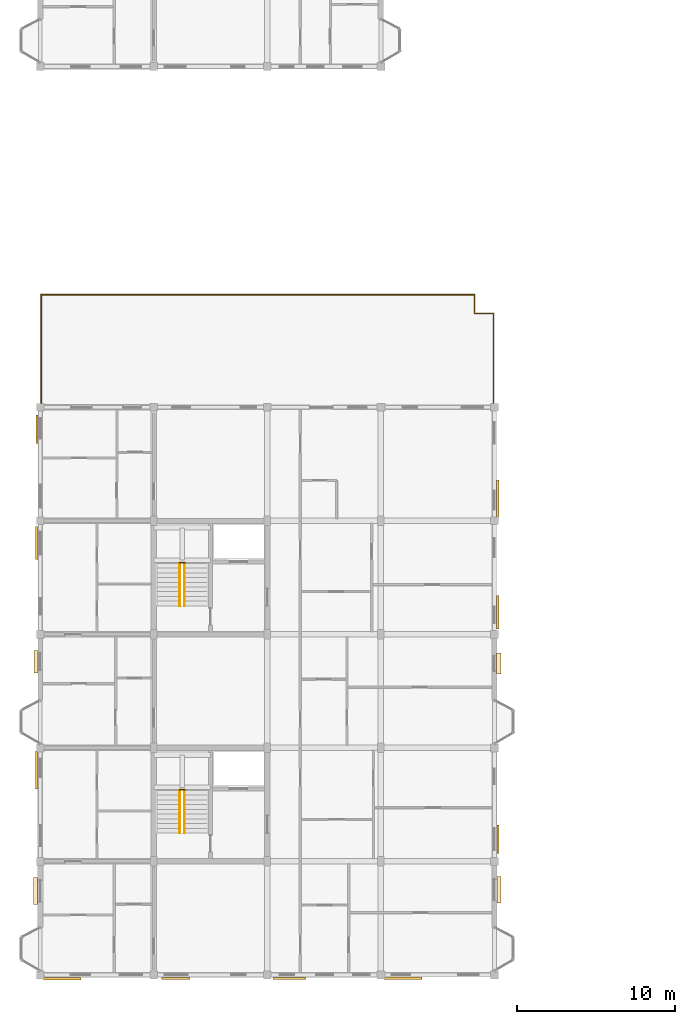
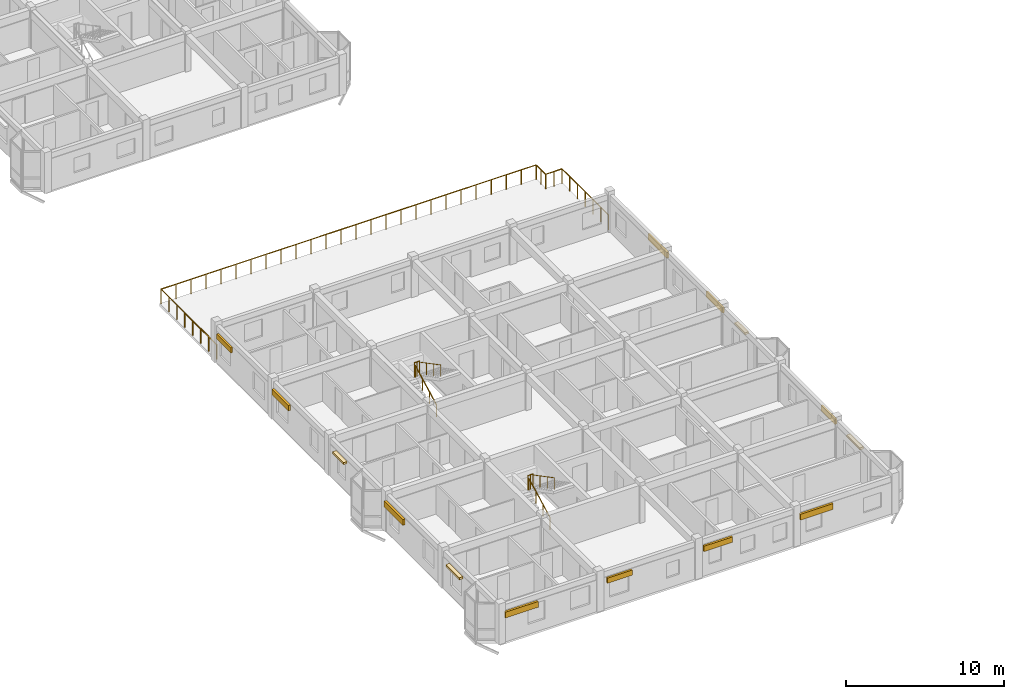
# One storey, part 67 of 70: 10 shading devices, 7 railings, 4 coverings.
"""IFC4 building model written with IfcOpenShell, lengths in metres."""

from ifc_helpers import new_model, si_unit, direction, frame, origin, origin_2d, place, context, subcontext, project, spatial, rectangle, circle, extrude, material, layer, layer_set, type_object, element, save


model = new_model("IFC4")

# Units and contexts
model_context = context("Model", 3, precision=1e-05, world=origin(), true_north=direction((0.0, 1.0)))
body_context = subcontext(model_context, "Body", "Model", "MODEL_VIEW")
ifc_project = project(units=[si_unit("LENGTHUNIT", "METRE"), si_unit("AREAUNIT", "SQUARE_METRE"), si_unit("VOLUMEUNIT", "CUBIC_METRE"), si_unit("PLANEANGLEUNIT", "RADIAN"), si_unit("MASSUNIT", "GRAM", prefix="KILO"), si_unit("THERMODYNAMICTEMPERATUREUNIT", "KELVIN"), si_unit("POWERUNIT", "WATT")], contexts=[model_context])

# Site, building, storey
site_placement = place(None, origin())
site = spatial("IfcSite", under=ifc_project, at=site_placement, CompositionType="ELEMENT")
building_placement = place(site_placement, origin())
building = spatial("IfcBuilding", under=site, at=building_placement, Name="Tavuni Mirador Residences", CompositionType="ELEMENT")
storey_placement = place(building_placement, frame((0.0, 0.0, 23.39990234375)))
storey = spatial("IfcBuildingStorey", under=building, at=storey_placement, Name="L07", CompositionType="ELEMENT", Elevation=23.39990234375)

# Coverings
ifc_material_1 = material(Name="Natural coral limestone", Category="masonry")
ifc_layer = layer(ifc_material_1, 0.054931640625, Name="Natural coral limestone", Category="masonry")
ifc_layer_set = layer_set([ifc_layer], Name="Natural coral limestone")
covering_type = type_object("IfcCoveringType", Name="CVT-CLAD-CORAL", PredefinedType="CLADDING", material=ifc_layer_set)
covering_1_placement = place(storey_placement, frame((32.69189453125, 12.594970703125, 1.9501953125), z_axis=(0.0, 0.0, 1.0), x_axis=(0.0, 1.0, 0.0)))
element("IfcCovering", 1, at=covering_1_placement, inside=storey, type_object=covering_type, Name="HOOD-0171", PredefinedType="CLADDING", context=body_context, shape_type="SweptSolid", body=[
    extrude(rectangle(XDim=1.679931640625, YDim=0.260009765625, at=origin_2d()), origin(), (0.0, 0.0, 1.0), 0.159912109375),
])
covering_2_placement = place(storey_placement, frame((32.679443359375, 26.945068359375, 2.06005859375), z_axis=(0.0, 0.0, 1.0), x_axis=(0.0, 1.0, 0.0)))
element("IfcCovering", 2, at=covering_2_placement, inside=storey, type_object=covering_type, Name="HOOD-0172", PredefinedType="CLADDING", context=body_context, shape_type="SweptSolid", body=[
    extrude(rectangle(XDim=1.320068359375, YDim=0.260009765625, at=origin_2d()), origin(), (0.0, 0.0, 1.0), 0.159912109375),
])
covering_3_placement = place(storey_placement, frame((3.320556640625, 27.06005859375, 2.240234375), z_axis=(0.0, 0.0, 1.0), x_axis=(0.0, -1.0, 0.0)))
element("IfcCovering", 3, at=covering_3_placement, inside=storey, type_object=covering_type, Name="HOOD-0173", PredefinedType="CLADDING", context=body_context, shape_type="SweptSolid", body=[
    extrude(rectangle(XDim=1.409912109375, YDim=0.260009765625, at=origin_2d()), origin(), (0.0, 0.0, 1.0), 0.159912109375),
])
covering_4_placement = place(storey_placement, frame((3.30810546875, 12.52001953125, 2.240234375), z_axis=(0.0, 0.0, 1.0), x_axis=(0.0, -1.0, 0.0)))
element("IfcCovering", 4, at=covering_4_placement, inside=storey, type_object=covering_type, Name="HOOD-0174", PredefinedType="CLADDING", context=body_context, shape_type="SweptSolid", body=[
    extrude(rectangle(XDim=1.7099609375, YDim=0.260009765625, at=origin_2d()), origin(), (0.0, 0.0, 1.0), 0.159912109375),
])

# Railings
ifc_material_2 = material(Name="Structural steel S355", Category="steel")
railing_type_1 = type_object("IfcRailingType", Name="RT-BL1150", PredefinedType="BALUSTRADE", material=ifc_material_2)
railing_1_placement = place(storey_placement, frame((32.340087890625, 43.260009765625, 0.0)))
element("IfcRailing", 5, at=railing_1_placement, inside=storey, type_object=railing_type_1, Name="Terrace guard TER-A-L07", PredefinedType="BALUSTRADE", context=body_context, shape_type="SweptSolid", body=[
    extrude(circle(Radius=0.02392578125, at=origin_2d()), frame((0.0, 0.0, 1.1259765625), z_axis=(0.0, 1.0, 0.0), x_axis=(-1.0, 0.0, 0.0)), (0.0, 0.0, 1.0), 5.8798828125),
    extrude(circle(Radius=0.02392578125, at=origin_2d()), frame((0.0, 5.8798828125, 1.1259765625), z_axis=(-1.0, 0.0, 0.0), x_axis=(0.0, -1.0, 0.0)), (0.0, 0.0, 1.0), 1.2001953125),
    extrude(circle(Radius=0.02392578125, at=origin_2d()), frame((-1.2001953125, 5.8798828125, 1.1259765625), z_axis=(0.0, 1.0, 0.0), x_axis=(-1.0, 0.0, 0.0)), (0.0, 0.0, 1.0), 1.2001953125),
    extrude(circle(Radius=0.02392578125, at=origin_2d()), frame((-1.2001953125, 7.080078125, 1.1259765625), z_axis=(-1.0, 0.0, 0.0), x_axis=(0.0, -1.0, 0.0)), (0.0, 0.0, 1.0), 27.47998046875),
    extrude(circle(Radius=0.02392578125, at=origin_2d()), frame((-28.68017578125, 7.080078125, 1.1259765625), z_axis=(0.0, -1.0, 0.0), x_axis=(1.0, 0.0, 0.0)), (0.0, 0.0, 1.0), 7.080078125),
    extrude(circle(Radius=0.02099609375, at=origin_2d()), origin(), (0.0, 0.0, 1.0), 1.101806640625),
    extrude(circle(Radius=0.02099609375, at=origin_2d()), frame((0.0, 0.97998046875, 0.0)), (0.0, 0.0, 1.0), 1.101806640625),
    extrude(circle(Radius=0.02099609375, at=origin_2d()), frame((0.0, 1.9599609375, 0.0)), (0.0, 0.0, 1.0), 1.101806640625),
    extrude(circle(Radius=0.02099609375, at=origin_2d()), frame((0.0, 2.93994140625, 0.0)), (0.0, 0.0, 1.0), 1.101806640625),
    extrude(circle(Radius=0.02099609375, at=origin_2d()), frame((0.0, 3.919921875, 0.0)), (0.0, 0.0, 1.0), 1.101806640625),
    extrude(circle(Radius=0.02099609375, at=origin_2d()), frame((0.0, 4.89990234375, 0.0)), (0.0, 0.0, 1.0), 1.101806640625),
    extrude(circle(Radius=0.02099609375, at=origin_2d()), frame((0.0, 5.8798828125, 0.0)), (0.0, 0.0, 1.0), 1.101806640625),
    extrude(circle(Radius=0.02099609375, at=origin_2d()), frame((-0.60009765625, 5.8798828125, 0.0)), (0.0, 0.0, 1.0), 1.101806640625),
    extrude(circle(Radius=0.02099609375, at=origin_2d()), frame((-1.2001953125, 5.8798828125, 0.0)), (0.0, 0.0, 1.0), 1.101806640625),
    extrude(circle(Radius=0.02099609375, at=origin_2d()), frame((-1.2001953125, 6.47998046875, 0.0)), (0.0, 0.0, 1.0), 1.101806640625),
    extrude(circle(Radius=0.02099609375, at=origin_2d()), frame((-1.2001953125, 7.080078125, 0.0)), (0.0, 0.0, 1.0), 1.101806640625),
    extrude(circle(Radius=0.02099609375, at=origin_2d()), frame((-2.29931640625, 7.080078125, 0.0)), (0.0, 0.0, 1.0), 1.101806640625),
    extrude(circle(Radius=0.02099609375, at=origin_2d()), frame((-3.398681640625, 7.080078125, 0.0)), (0.0, 0.0, 1.0), 1.101806640625),
    extrude(circle(Radius=0.02099609375, at=origin_2d()), frame((-4.497802734375, 7.080078125, 0.0)), (0.0, 0.0, 1.0), 1.101806640625),
    extrude(circle(Radius=0.02099609375, at=origin_2d()), frame((-5.596923828125, 7.080078125, 0.0)), (0.0, 0.0, 1.0), 1.101806640625),
    extrude(circle(Radius=0.02099609375, at=origin_2d()), frame((-6.6962890625, 7.080078125, 0.0)), (0.0, 0.0, 1.0), 1.101806640625),
    extrude(circle(Radius=0.02099609375, at=origin_2d()), frame((-7.79541015625, 7.080078125, 0.0)), (0.0, 0.0, 1.0), 1.101806640625),
    extrude(circle(Radius=0.02099609375, at=origin_2d()), frame((-8.89453125, 7.080078125, 0.0)), (0.0, 0.0, 1.0), 1.101806640625),
    extrude(circle(Radius=0.02099609375, at=origin_2d()), frame((-9.993896484375, 7.080078125, 0.0)), (0.0, 0.0, 1.0), 1.101806640625),
    extrude(circle(Radius=0.02099609375, at=origin_2d()), frame((-11.093017578125, 7.080078125, 0.0)), (0.0, 0.0, 1.0), 1.101806640625),
    extrude(circle(Radius=0.02099609375, at=origin_2d()), frame((-12.192138671875, 7.080078125, 0.0)), (0.0, 0.0, 1.0), 1.101806640625),
    extrude(circle(Radius=0.02099609375, at=origin_2d()), frame((-13.29150390625, 7.080078125, 0.0)), (0.0, 0.0, 1.0), 1.101806640625),
    extrude(circle(Radius=0.02099609375, at=origin_2d()), frame((-14.390625, 7.080078125, 0.0)), (0.0, 0.0, 1.0), 1.101806640625),
    extrude(circle(Radius=0.02099609375, at=origin_2d()), frame((-15.48974609375, 7.080078125, 0.0)), (0.0, 0.0, 1.0), 1.101806640625),
    extrude(circle(Radius=0.02099609375, at=origin_2d()), frame((-16.5888671875, 7.080078125, 0.0)), (0.0, 0.0, 1.0), 1.101806640625),
    extrude(circle(Radius=0.02099609375, at=origin_2d()), frame((-17.688232421875, 7.080078125, 0.0)), (0.0, 0.0, 1.0), 1.101806640625),
    extrude(circle(Radius=0.02099609375, at=origin_2d()), frame((-18.787353515625, 7.080078125, 0.0)), (0.0, 0.0, 1.0), 1.101806640625),
    extrude(circle(Radius=0.02099609375, at=origin_2d()), frame((-19.886474609375, 7.080078125, 0.0)), (0.0, 0.0, 1.0), 1.101806640625),
    extrude(circle(Radius=0.02099609375, at=origin_2d()), frame((-20.98583984375, 7.080078125, 0.0)), (0.0, 0.0, 1.0), 1.101806640625),
    extrude(circle(Radius=0.02099609375, at=origin_2d()), frame((-22.0849609375, 7.080078125, 0.0)), (0.0, 0.0, 1.0), 1.101806640625),
    extrude(circle(Radius=0.02099609375, at=origin_2d()), frame((-23.18408203125, 7.080078125, 0.0)), (0.0, 0.0, 1.0), 1.101806640625),
    extrude(circle(Radius=0.02099609375, at=origin_2d()), frame((-24.283447265625, 7.080078125, 0.0)), (0.0, 0.0, 1.0), 1.101806640625),
    extrude(circle(Radius=0.02099609375, at=origin_2d()), frame((-25.382568359375, 7.080078125, 0.0)), (0.0, 0.0, 1.0), 1.101806640625),
    extrude(circle(Radius=0.02099609375, at=origin_2d()), frame((-26.481689453125, 7.080078125, 0.0)), (0.0, 0.0, 1.0), 1.101806640625),
    extrude(circle(Radius=0.02099609375, at=origin_2d()), frame((-27.5810546875, 7.080078125, 0.0)), (0.0, 0.0, 1.0), 1.101806640625),
    extrude(circle(Radius=0.02099609375, at=origin_2d()), frame((-28.68017578125, 7.080078125, 0.0)), (0.0, 0.0, 1.0), 1.101806640625),
    extrude(circle(Radius=0.02099609375, at=origin_2d()), frame((-28.68017578125, 6.068603515625, 0.0)), (0.0, 0.0, 1.0), 1.101806640625),
    extrude(circle(Radius=0.02099609375, at=origin_2d()), frame((-28.68017578125, 5.05712890625, 0.0)), (0.0, 0.0, 1.0), 1.101806640625),
    extrude(circle(Radius=0.02099609375, at=origin_2d()), frame((-28.68017578125, 4.045654296875, 0.0)), (0.0, 0.0, 1.0), 1.101806640625),
    extrude(circle(Radius=0.02099609375, at=origin_2d()), frame((-28.68017578125, 3.034423828125, 0.0)), (0.0, 0.0, 1.0), 1.101806640625),
    extrude(circle(Radius=0.02099609375, at=origin_2d()), frame((-28.68017578125, 2.02294921875, 0.0)), (0.0, 0.0, 1.0), 1.101806640625),
    extrude(circle(Radius=0.02099609375, at=origin_2d()), frame((-28.68017578125, 1.011474609375, 0.0)), (0.0, 0.0, 1.0), 1.101806640625),
    extrude(circle(Radius=0.02099609375, at=origin_2d()), frame((-28.68017578125, 0.0, 0.0)), (0.0, 0.0, 1.0), 1.101806640625),
])
railing_type_2 = type_object("IfcRailingType", Name="RT-GR1120", PredefinedType="GUARDRAIL", material=ifc_material_2)
for number, where, name in (
    (6, (12.419921875, 18.93994140625, 1.5751953125), "GRD-HL-ST1-L07"),
    (7, (12.419921875, 33.340087890625, 1.5751953125), "GRD-HL-ST2-L07"),
):
    element("IfcRailing", number, at=place(storey_placement, frame(where)), inside=storey, type_object=railing_type_2, Name=name, PredefinedType="GUARDRAIL", context=body_context, shape_type="SweptSolid", body=[
        extrude(circle(Radius=0.02392578125, at=origin_2d()), frame((0.0, 0.0, 1.09619140625), z_axis=(1.0, 0.0, 0.0), x_axis=(0.0, 1.0, 0.0)), (0.0, 0.0, 1.0), 0.360107421875),
        extrude(circle(Radius=0.02099609375, at=origin_2d()), origin(), (0.0, 0.0, 1.0), 1.072021484375),
        extrude(circle(Radius=0.02099609375, at=origin_2d()), frame((0.18017578125, 0.0, 0.0)), (0.0, 0.0, 1.0), 1.072021484375),
        extrude(circle(Radius=0.02099609375, at=origin_2d()), frame((0.360107421875, 0.0, 0.0)), (0.0, 0.0, 1.0), 1.072021484375),
    ])
railing_type_3 = type_object("IfcRailingType", Name="RT-HR920", PredefinedType="HANDRAIL", material=ifc_material_2)
railing_2_placement = place(storey_placement, frame((12.449951171875, 16.199951171875, 0.15771484375)))
element("IfcRailing", 8, at=railing_2_placement, inside=storey, type_object=railing_type_3, Name="HR-ST1-L07-F1", PredefinedType="HANDRAIL", context=body_context, shape_type="SweptSolid", body=[
    extrude(circle(Radius=0.02392578125, at=origin_2d()), frame((0.0, 0.0, 0.89599609375), z_axis=(0.0, 0.885397079081, 0.464835468048), x_axis=(-1.0, 0.0, 0.0)), (0.0, 0.0, 1.0), 3.04931640625),
    extrude(circle(Radius=0.02099609375, at=origin_2d()), origin(), (0.0, 0.0, 1.0), 0.871826171875),
    extrude(circle(Radius=0.02099609375, at=origin_2d()), frame((0.0, 0.89990234375, 0.472412109375)), (0.0, 0.0, 1.0), 0.871826171875),
    extrude(circle(Radius=0.02099609375, at=origin_2d()), frame((0.0, 1.800048828125, 0.945068359375)), (0.0, 0.0, 1.0), 0.871826171875),
    extrude(circle(Radius=0.02099609375, at=origin_2d()), frame((0.0, 2.699951171875, 1.41748046875)), (0.0, 0.0, 1.0), 0.871826171875),
])
railing_3_placement = place(storey_placement, frame((12.75, 18.89990234375, 1.732666015625)))
element("IfcRailing", 9, at=railing_3_placement, inside=storey, type_object=railing_type_3, Name="HR-ST1-L07-F2", PredefinedType="HANDRAIL", context=body_context, shape_type="SweptSolid", body=[
    extrude(circle(Radius=0.02392578125, at=origin_2d()), frame((0.0, 0.0, 0.89599609375), z_axis=(0.0, -0.885397079081, 0.464835468048), x_axis=(1.0, 0.0, 0.0)), (0.0, 0.0, 1.0), 3.04931640625),
    extrude(circle(Radius=0.02099609375, at=origin_2d()), origin(), (0.0, 0.0, 1.0), 0.871826171875),
    extrude(circle(Radius=0.02099609375, at=origin_2d()), frame((0.0, -0.89990234375, 0.472412109375)), (0.0, 0.0, 1.0), 0.871826171875),
    extrude(circle(Radius=0.02099609375, at=origin_2d()), frame((0.0, -1.800048828125, 0.945068359375)), (0.0, 0.0, 1.0), 0.871826171875),
    extrude(circle(Radius=0.02099609375, at=origin_2d()), frame((0.0, -2.699951171875, 1.41748046875)), (0.0, 0.0, 1.0), 0.871826171875),
])
railing_4_placement = place(storey_placement, frame((12.449951171875, 30.60009765625, 0.15771484375)))
element("IfcRailing", 10, at=railing_4_placement, inside=storey, type_object=railing_type_3, Name="HR-ST2-L07-F1", PredefinedType="HANDRAIL", context=body_context, shape_type="SweptSolid", body=[
    extrude(circle(Radius=0.02392578125, at=origin_2d()), frame((0.0, 0.0, 0.89599609375), z_axis=(0.0, 0.885397079081, 0.464835468048), x_axis=(-1.0, 0.0, 0.0)), (0.0, 0.0, 1.0), 3.04931640625),
    extrude(circle(Radius=0.02099609375, at=origin_2d()), origin(), (0.0, 0.0, 1.0), 0.871826171875),
    extrude(circle(Radius=0.02099609375, at=origin_2d()), frame((0.0, 0.89990234375, 0.472412109375)), (0.0, 0.0, 1.0), 0.871826171875),
    extrude(circle(Radius=0.02099609375, at=origin_2d()), frame((0.0, 1.800048828125, 0.945068359375)), (0.0, 0.0, 1.0), 0.871826171875),
    extrude(circle(Radius=0.02099609375, at=origin_2d()), frame((0.0, 2.699951171875, 1.41748046875)), (0.0, 0.0, 1.0), 0.871826171875),
])
railing_5_placement = place(storey_placement, frame((12.75, 33.300048828125, 1.732666015625)))
element("IfcRailing", 11, at=railing_5_placement, inside=storey, type_object=railing_type_3, Name="HR-ST2-L07-F2", PredefinedType="HANDRAIL", context=body_context, shape_type="SweptSolid", body=[
    extrude(circle(Radius=0.02392578125, at=origin_2d()), frame((0.0, 0.0, 0.89599609375), z_axis=(0.0, -0.885397079081, 0.464835468048), x_axis=(1.0, 0.0, 0.0)), (0.0, 0.0, 1.0), 3.04931640625),
    extrude(circle(Radius=0.02099609375, at=origin_2d()), origin(), (0.0, 0.0, 1.0), 0.871826171875),
    extrude(circle(Radius=0.02099609375, at=origin_2d()), frame((0.0, -0.89990234375, 0.472412109375)), (0.0, 0.0, 1.0), 0.871826171875),
    extrude(circle(Radius=0.02099609375, at=origin_2d()), frame((0.0, -1.800048828125, 0.945068359375)), (0.0, 0.0, 1.0), 0.871826171875),
    extrude(circle(Radius=0.02099609375, at=origin_2d()), frame((0.0, -2.699951171875, 1.41748046875)), (0.0, 0.0, 1.0), 0.871826171875),
])

# Shading devices
ifc_material_3 = material(Name="Solid core iroko timber", Category="wood")
shading_device_type_1 = type_object("IfcShadingDeviceType", Name="SHT-LV1800", PredefinedType="JALOUSIE", material=ifc_material_3)
for number, where, z_axis, x_axis, name in (
    (12, (12.199951171875, 6.9755859375, 2.020263671875), (0.0, 0.0, 1.0), (1.0, 0.0, 0.0), "SHD-042"),
    (13, (32.62451171875, 15.800048828125, 2.020263671875), (0.0, 0.0, 1.0), (0.0, 1.0, 0.0), "SHD-045"),
    (14, (3.3955078125, 41.800048828125, 2.020263671875), (0.0, 0.0, 1.0), (0.0, -1.0, 0.0), "SHD-048"),
):
    element("IfcShadingDevice", number, at=place(storey_placement, frame(where, z_axis=z_axis, x_axis=x_axis)), inside=storey, type_object=shading_device_type_1, Name=name, PredefinedType="JALOUSIE", context=body_context, shape_type="SweptSolid", body=[
        extrude(rectangle(XDim=1.800048828125, YDim=0.139892578125, at=origin_2d()), origin(), (0.0, 0.0, 1.0), 0.39990234375),
    ])
shading_device_type_2 = type_object("IfcShadingDeviceType", Name="SHT-LV2100", PredefinedType="JALOUSIE", material=ifc_material_3)
for number, where, z_axis, x_axis, name in (
    (15, (19.39990234375, 6.9755859375, 2.000244140625), (0.0, 0.0, 1.0), (1.0, 0.0, 0.0), "SHD-043"),
    (16, (32.616943359375, 30.199951171875, 2.000244140625), (0.0, 0.0, 1.0), (0.0, 1.0, 0.0), "SHD-046"),
    (17, (3.383056640625, 34.60009765625, 2.000244140625), (0.0, 0.0, 1.0), (0.0, -1.0, 0.0), "SHD-049"),
):
    element("IfcShadingDevice", number, at=place(storey_placement, frame(where, z_axis=z_axis, x_axis=x_axis)), inside=storey, type_object=shading_device_type_2, Name=name, PredefinedType="JALOUSIE", context=body_context, shape_type="SweptSolid", body=[
        extrude(rectangle(XDim=2.10009765625, YDim=0.14990234375, at=origin_2d()), origin(), (0.0, 0.0, 1.0), 0.419921875),
    ])
shading_device_type_3 = type_object("IfcShadingDeviceType", Name="SHT-LV2400", PredefinedType="JALOUSIE", material=ifc_material_3)
for number, where, z_axis, x_axis, name in (
    (18, (5.0, 6.9580078125, 1.97021484375), (0.0, 0.0, 1.0), (1.0, 0.0, 0.0), "SHD-041"),
    (19, (26.60009765625, 6.97802734375, 1.97021484375), (0.0, 0.0, 1.0), (1.0, 0.0, 0.0), "SHD-044"),
    (20, (32.614501953125, 37.39990234375, 1.97021484375), (0.0, 0.0, 1.0), (0.0, 1.0, 0.0), "SHD-047"),
    (21, (3.365478515625, 20.199951171875, 1.97021484375), (0.0, 0.0, 1.0), (0.0, -1.0, 0.0), "SHD-050"),
):
    element("IfcShadingDevice", number, at=place(storey_placement, frame(where, z_axis=z_axis, x_axis=x_axis)), inside=storey, type_object=shading_device_type_3, Name=name, PredefinedType="JALOUSIE", context=body_context, shape_type="SweptSolid", body=[
        extrude(rectangle(XDim=2.39990234375, YDim=0.159912109375, at=origin_2d()), origin(), (0.0, 0.0, 1.0), 0.449951171875),
    ])

save(model, "model.ifc")
